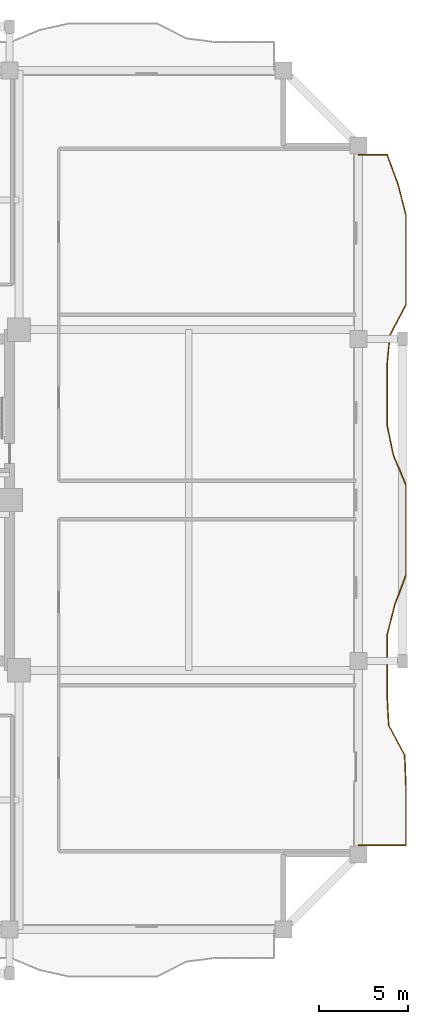
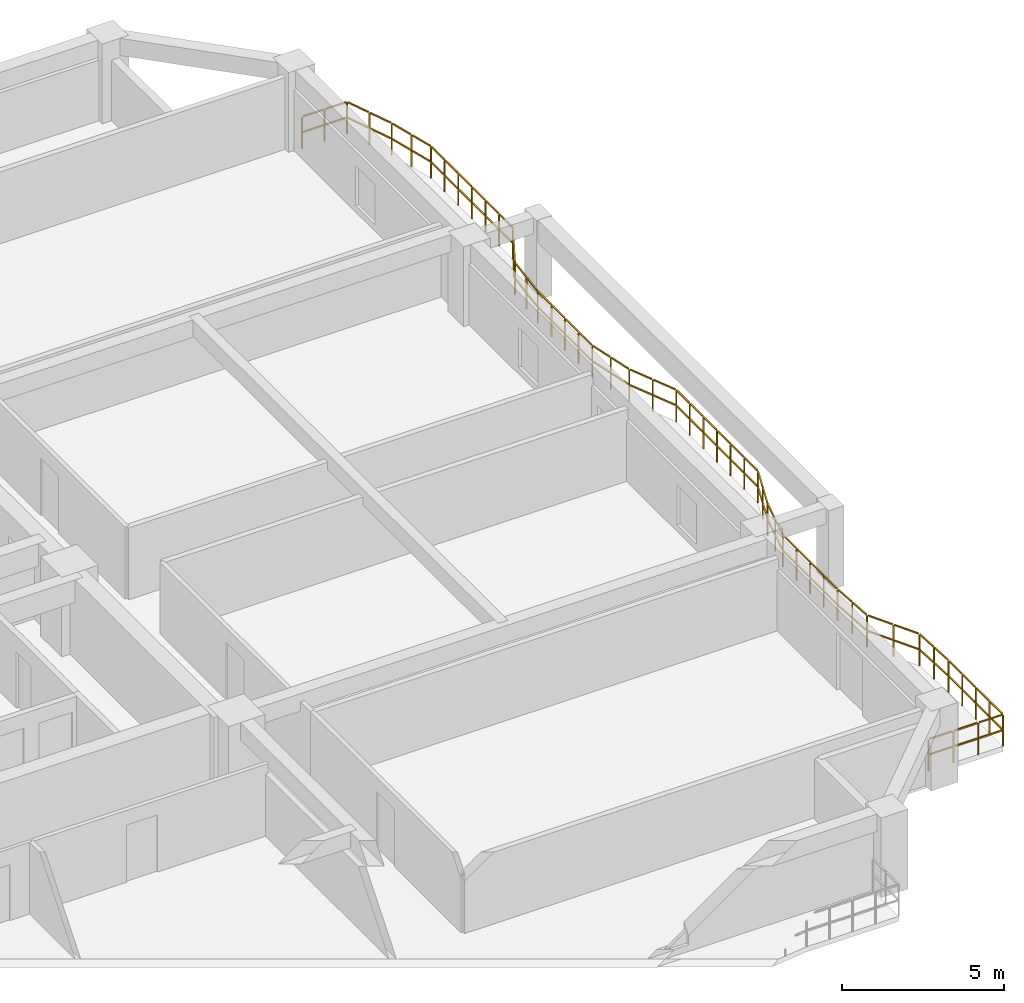
# One storey, part 10 of 11: 1 railing.
"""IFC4 building model written with IfcOpenShell, lengths in metres."""

from ifc_helpers import new_model, si_unit, direction, frame, origin, origin_2d, place, context, subcontext, project, spatial, rectangle, extrude, material, type_object, element, save


model = new_model("IFC4")

# Units and contexts
model_context = context("Model", 3, precision=1e-05, world=origin(), true_north=direction((0.0, 1.0)))
body_context = subcontext(model_context, "Body", "Model", "MODEL_VIEW")
ifc_project = project(units=[si_unit("LENGTHUNIT", "METRE"), si_unit("AREAUNIT", "SQUARE_METRE"), si_unit("VOLUMEUNIT", "CUBIC_METRE"), si_unit("PLANEANGLEUNIT", "RADIAN"), si_unit("MASSUNIT", "GRAM", prefix="KILO")], contexts=[model_context])

# Site, building, storey
site_placement = place(None, origin())
site = spatial("IfcSite", under=ifc_project, at=site_placement, CompositionType="ELEMENT")
building_placement = place(site_placement, origin())
building = spatial("IfcBuilding", under=site, at=building_placement, Name="Saelheon Loggia Tower", CompositionType="ELEMENT")
storey_placement = place(building_placement, frame((0.0, 0.0, 141.75)))
storey = spatial("IfcBuildingStorey", under=building, at=storey_placement, Name="L45", CompositionType="ELEMENT", Elevation=141.75)

# Railing
ifc_material = material(Name="Architectural Precast Concrete and Laminated Glass Guard", Category="concrete")
railing_type = type_object("IfcRailingType", Name="Guard_Loggia_RL_LOG", PredefinedType="BALUSTRADE", material=ifc_material)
railing_placement = place(storey_placement, frame((64.0, 7.699951171875, 0.0)))
element("IfcRailing", 1, at=railing_placement, inside=storey, type_object=railing_type, Name="L45 East Loggia Balustrade", PredefinedType="BALUSTRADE", context=body_context, shape_type="SweptSolid", body=[
    extrude(rectangle(XDim=0.048095703125, YDim=0.048095703125, at=origin_2d()), frame((0.033203125, 0.0, 1.19580078125), z_axis=(1.0, 0.0, 0.0), x_axis=(0.0, 1.0, 0.0)), (0.0, 0.0, 1.0), 0.81689453125),
    extrude(rectangle(XDim=0.048095703125, YDim=0.048095703125, at=origin_2d()), frame((0.033203125, 0.0, 0.60986328125), z_axis=(1.0, 0.0, 0.0), x_axis=(0.0, 1.0, 0.0)), (0.0, 0.0, 1.0), 0.81689453125),
    extrude(rectangle(XDim=0.048095703125, YDim=0.048095703125, at=origin_2d()), frame((0.91650390625, 0.0, 1.19580078125), z_axis=(1.0, 0.0, 0.0), x_axis=(0.0, 1.0, 0.0)), (0.0, 0.0, 1.0), 0.81689453125),
    extrude(rectangle(XDim=0.048095703125, YDim=0.048095703125, at=origin_2d()), frame((0.91650390625, 0.0, 0.60986328125), z_axis=(1.0, 0.0, 0.0), x_axis=(0.0, 1.0, 0.0)), (0.0, 0.0, 1.0), 0.81689453125),
    extrude(rectangle(XDim=0.048095703125, YDim=0.048095703125, at=origin_2d()), frame((1.7998046875, 0.0, 1.19580078125), z_axis=(1.0, 0.0, 0.0), x_axis=(0.0, 1.0, 0.0)), (0.0, 0.0, 1.0), 0.81689453125),
    extrude(rectangle(XDim=0.048095703125, YDim=0.048095703125, at=origin_2d()), frame((1.7998046875, 0.0, 0.60986328125), z_axis=(1.0, 0.0, 0.0), x_axis=(0.0, 1.0, 0.0)), (0.0, 0.0, 1.0), 0.81689453125),
    extrude(rectangle(XDim=0.048095703125, YDim=0.048095703125, at=origin_2d()), frame((2.64990234375, 0.033203125, 1.19580078125), z_axis=(0.0, 1.0, 0.0), x_axis=(-1.0, 0.0, 0.0)), (0.0, 0.0, 1.0), 0.772705078125),
    extrude(rectangle(XDim=0.048095703125, YDim=0.048095703125, at=origin_2d()), frame((2.64990234375, 0.033203125, 0.60986328125), z_axis=(0.0, 1.0, 0.0), x_axis=(-1.0, 0.0, 0.0)), (0.0, 0.0, 1.0), 0.772705078125),
    extrude(rectangle(XDim=0.048095703125, YDim=0.048095703125, at=origin_2d()), frame((2.64990234375, 0.87255859375, 1.19580078125), z_axis=(0.0, 1.0, 0.0), x_axis=(-1.0, 0.0, 0.0)), (0.0, 0.0, 1.0), 0.772705078125),
    extrude(rectangle(XDim=0.048095703125, YDim=0.048095703125, at=origin_2d()), frame((2.64990234375, 0.87255859375, 0.60986328125), z_axis=(0.0, 1.0, 0.0), x_axis=(-1.0, 0.0, 0.0)), (0.0, 0.0, 1.0), 0.772705078125),
    extrude(rectangle(XDim=0.048095703125, YDim=0.048095703125, at=origin_2d()), frame((2.64990234375, 1.711669921875, 1.19580078125), z_axis=(0.0, 1.0, 0.0), x_axis=(-1.0, 0.0, 0.0)), (0.0, 0.0, 1.0), 0.7724609375),
    extrude(rectangle(XDim=0.048095703125, YDim=0.048095703125, at=origin_2d()), frame((2.64990234375, 1.711669921875, 0.60986328125), z_axis=(0.0, 1.0, 0.0), x_axis=(-1.0, 0.0, 0.0)), (0.0, 0.0, 1.0), 0.7724609375),
    extrude(rectangle(XDim=0.048095703125, YDim=0.048095703125, at=origin_2d()), frame((2.64990234375, 2.55078125, 1.19580078125), z_axis=(0.0, 1.0, 0.0), x_axis=(-1.0, 0.0, 0.0)), (0.0, 0.0, 1.0), 0.7724609375),
    extrude(rectangle(XDim=0.048095703125, YDim=0.048095703125, at=origin_2d()), frame((2.64990234375, 2.55078125, 0.60986328125), z_axis=(0.0, 1.0, 0.0), x_axis=(-1.0, 0.0, 0.0)), (0.0, 0.0, 1.0), 0.7724609375),
    extrude(rectangle(XDim=0.048095703125, YDim=0.048095703125, at=origin_2d()), frame((2.648681640625, 3.3896484375, 1.19580078125), z_axis=(-0.038516851919, 0.999257950741, 0.0), x_axis=(-0.999257950741, -0.038516851919, 0.0)), (0.0, 0.0, 1.0), 0.7734375),
    extrude(rectangle(XDim=0.048095703125, YDim=0.048095703125, at=origin_2d()), frame((2.648681640625, 3.3896484375, 0.60986328125), z_axis=(-0.038516851919, 0.999257950741, 0.0), x_axis=(-0.999257950741, -0.038516851919, 0.0)), (0.0, 0.0, 1.0), 0.7734375),
    extrude(rectangle(XDim=0.048095703125, YDim=0.048095703125, at=origin_2d()), frame((2.6162109375, 4.22900390625, 1.19580078125), z_axis=(-0.038516851919, 0.999257950741, 0.0), x_axis=(-0.999257950741, -0.038516851919, 0.0)), (0.0, 0.0, 1.0), 0.7734375),
    extrude(rectangle(XDim=0.048095703125, YDim=0.048095703125, at=origin_2d()), frame((2.6162109375, 4.22900390625, 0.60986328125), z_axis=(-0.038516851919, 0.999257950741, 0.0), x_axis=(-0.999257950741, -0.038516851919, 0.0)), (0.0, 0.0, 1.0), 0.7734375),
    extrude(rectangle(XDim=0.048095703125, YDim=0.048095703125, at=origin_2d()), frame((2.569580078125, 5.064208984375, 1.19580078125), z_axis=(-0.470574910471, 0.88236004762, 0.0), x_axis=(-0.88236004762, -0.470574910471, 0.0)), (0.0, 0.0, 1.0), 0.884521484375),
    extrude(rectangle(XDim=0.048095703125, YDim=0.048095703125, at=origin_2d()), frame((2.569580078125, 5.064208984375, 0.60986328125), z_axis=(-0.470574910471, 0.88236004762, 0.0), x_axis=(-0.88236004762, -0.470574910471, 0.0)), (0.0, 0.0, 1.0), 0.884521484375),
    extrude(rectangle(XDim=0.048095703125, YDim=0.048095703125, at=origin_2d()), frame((2.1220703125, 5.9033203125, 1.19580078125), z_axis=(-0.470574910471, 0.88236004762, 0.0), x_axis=(-0.88236004762, -0.470574910471, 0.0)), (0.0, 0.0, 1.0), 0.884521484375),
    extrude(rectangle(XDim=0.048095703125, YDim=0.048095703125, at=origin_2d()), frame((2.1220703125, 5.9033203125, 0.60986328125), z_axis=(-0.470574910471, 0.88236004762, 0.0), x_axis=(-0.88236004762, -0.470574910471, 0.0)), (0.0, 0.0, 1.0), 0.884521484375),
    extrude(rectangle(XDim=0.048095703125, YDim=0.048095703125, at=origin_2d()), frame((1.6884765625, 6.746337890625, 1.19580078125), z_axis=(-0.053603359192, 0.99856230646, 0.0), x_axis=(-0.99856230646, -0.053603359192, 0.0)), (0.0, 0.0, 1.0), 0.77392578125),
    extrude(rectangle(XDim=0.048095703125, YDim=0.048095703125, at=origin_2d()), frame((1.6884765625, 6.746337890625, 0.60986328125), z_axis=(-0.053603359192, 0.99856230646, 0.0), x_axis=(-0.99856230646, -0.053603359192, 0.0)), (0.0, 0.0, 1.0), 0.77392578125),
    extrude(rectangle(XDim=0.048095703125, YDim=0.048095703125, at=origin_2d()), frame((1.643310546875, 7.58544921875, 1.19580078125), z_axis=(-0.053603359192, 0.99856230646, 0.0), x_axis=(-0.99856230646, -0.053603359192, 0.0)), (0.0, 0.0, 1.0), 0.77392578125),
    extrude(rectangle(XDim=0.048095703125, YDim=0.048095703125, at=origin_2d()), frame((1.643310546875, 7.58544921875, 0.60986328125), z_axis=(-0.053603359192, 0.99856230646, 0.0), x_axis=(-0.99856230646, -0.053603359192, 0.0)), (0.0, 0.0, 1.0), 0.77392578125),
    extrude(rectangle(XDim=0.048095703125, YDim=0.048095703125, at=origin_2d()), frame((1.60009765625, 8.424560546875, 1.19580078125), z_axis=(0.0, 1.0, 0.0), x_axis=(-1.0, 0.0, 0.0)), (0.0, 0.0, 1.0), 0.772705078125),
    extrude(rectangle(XDim=0.048095703125, YDim=0.048095703125, at=origin_2d()), frame((1.60009765625, 8.424560546875, 0.60986328125), z_axis=(0.0, 1.0, 0.0), x_axis=(-1.0, 0.0, 0.0)), (0.0, 0.0, 1.0), 0.772705078125),
    extrude(rectangle(XDim=0.048095703125, YDim=0.048095703125, at=origin_2d()), frame((1.60009765625, 9.263671875, 1.19580078125), z_axis=(0.0, 1.0, 0.0), x_axis=(-1.0, 0.0, 0.0)), (0.0, 0.0, 1.0), 0.772705078125),
    extrude(rectangle(XDim=0.048095703125, YDim=0.048095703125, at=origin_2d()), frame((1.60009765625, 9.263671875, 0.60986328125), z_axis=(0.0, 1.0, 0.0), x_axis=(-1.0, 0.0, 0.0)), (0.0, 0.0, 1.0), 0.772705078125),
    extrude(rectangle(XDim=0.048095703125, YDim=0.048095703125, at=origin_2d()), frame((1.60009765625, 10.102783203125, 1.19580078125), z_axis=(0.0, 1.0, 0.0), x_axis=(-1.0, 0.0, 0.0)), (0.0, 0.0, 1.0), 0.772705078125),
    extrude(rectangle(XDim=0.048095703125, YDim=0.048095703125, at=origin_2d()), frame((1.60009765625, 10.102783203125, 0.60986328125), z_axis=(0.0, 1.0, 0.0), x_axis=(-1.0, 0.0, 0.0)), (0.0, 0.0, 1.0), 0.772705078125),
    extrude(rectangle(XDim=0.048095703125, YDim=0.048095703125, at=origin_2d()), frame((1.60009765625, 10.94189453125, 1.19580078125), z_axis=(0.0, 1.0, 0.0), x_axis=(-1.0, 0.0, 0.0)), (0.0, 0.0, 1.0), 0.772705078125),
    extrude(rectangle(XDim=0.048095703125, YDim=0.048095703125, at=origin_2d()), frame((1.60009765625, 10.94189453125, 0.60986328125), z_axis=(0.0, 1.0, 0.0), x_axis=(-1.0, 0.0, 0.0)), (0.0, 0.0, 1.0), 0.772705078125),
    extrude(rectangle(XDim=0.048095703125, YDim=0.048095703125, at=origin_2d()), frame((1.6083984375, 11.780029296875, 1.19580078125), z_axis=(0.247208698516, 0.968962259006, 0.0), x_axis=(-0.968962259006, 0.247208698516, 0.0)), (0.0, 0.0, 1.0), 0.799560546875),
    extrude(rectangle(XDim=0.048095703125, YDim=0.048095703125, at=origin_2d()), frame((1.6083984375, 11.780029296875, 0.60986328125), z_axis=(0.247208698516, 0.968962259006, 0.0), x_axis=(-0.968962259006, 0.247208698516, 0.0)), (0.0, 0.0, 1.0), 0.799560546875),
    extrude(rectangle(XDim=0.048095703125, YDim=0.048095703125, at=origin_2d()), frame((1.822509765625, 12.619140625, 1.19580078125), z_axis=(0.247208698516, 0.968962259006, 0.0), x_axis=(-0.968962259006, 0.247208698516, 0.0)), (0.0, 0.0, 1.0), 0.799560546875),
    extrude(rectangle(XDim=0.048095703125, YDim=0.048095703125, at=origin_2d()), frame((1.822509765625, 12.619140625, 0.60986328125), z_axis=(0.247208698516, 0.968962259006, 0.0), x_axis=(-0.968962259006, 0.247208698516, 0.0)), (0.0, 0.0, 1.0), 0.799560546875),
    extrude(rectangle(XDim=0.048095703125, YDim=0.048095703125, at=origin_2d()), frame((2.039794921875, 13.45751953125, 1.19580078125), z_axis=(0.347367679111, 0.937729009634, 0.0), x_axis=(-0.937729009634, 0.347367679111, 0.0)), (0.0, 0.0, 1.0), 0.828125),
    extrude(rectangle(XDim=0.048095703125, YDim=0.048095703125, at=origin_2d()), frame((2.039794921875, 13.45751953125, 0.60986328125), z_axis=(0.347367679111, 0.937729009634, 0.0), x_axis=(-0.937729009634, 0.347367679111, 0.0)), (0.0, 0.0, 1.0), 0.828125),
    extrude(rectangle(XDim=0.048095703125, YDim=0.048095703125, at=origin_2d()), frame((2.3505859375, 14.29638671875, 1.19580078125), z_axis=(0.347367679111, 0.937729009634, 0.0), x_axis=(-0.937729009634, 0.347367679111, 0.0)), (0.0, 0.0, 1.0), 0.828125),
    extrude(rectangle(XDim=0.048095703125, YDim=0.048095703125, at=origin_2d()), frame((2.3505859375, 14.29638671875, 0.60986328125), z_axis=(0.347367679111, 0.937729009634, 0.0), x_axis=(-0.937729009634, 0.347367679111, 0.0)), (0.0, 0.0, 1.0), 0.828125),
    extrude(rectangle(XDim=0.048095703125, YDim=0.048095703125, at=origin_2d()), frame((2.64990234375, 15.137451171875, 1.19580078125), z_axis=(0.0, 1.0, 0.0), x_axis=(-1.0, 0.0, 0.0)), (0.0, 0.0, 1.0), 0.772705078125),
    extrude(rectangle(XDim=0.048095703125, YDim=0.048095703125, at=origin_2d()), frame((2.64990234375, 15.137451171875, 0.60986328125), z_axis=(0.0, 1.0, 0.0), x_axis=(-1.0, 0.0, 0.0)), (0.0, 0.0, 1.0), 0.772705078125),
    extrude(rectangle(XDim=0.048095703125, YDim=0.048095703125, at=origin_2d()), frame((2.64990234375, 15.976806640625, 1.19580078125), z_axis=(0.0, 1.0, 0.0), x_axis=(-1.0, 0.0, 0.0)), (0.0, 0.0, 1.0), 0.772705078125),
    extrude(rectangle(XDim=0.048095703125, YDim=0.048095703125, at=origin_2d()), frame((2.64990234375, 15.976806640625, 0.60986328125), z_axis=(0.0, 1.0, 0.0), x_axis=(-1.0, 0.0, 0.0)), (0.0, 0.0, 1.0), 0.772705078125),
    extrude(rectangle(XDim=0.048095703125, YDim=0.048095703125, at=origin_2d()), frame((2.64990234375, 16.81591796875, 1.19580078125), z_axis=(0.0, 1.0, 0.0), x_axis=(-1.0, 0.0, 0.0)), (0.0, 0.0, 1.0), 0.772705078125),
    extrude(rectangle(XDim=0.048095703125, YDim=0.048095703125, at=origin_2d()), frame((2.64990234375, 16.81591796875, 0.60986328125), z_axis=(0.0, 1.0, 0.0), x_axis=(-1.0, 0.0, 0.0)), (0.0, 0.0, 1.0), 0.772705078125),
    extrude(rectangle(XDim=0.048095703125, YDim=0.048095703125, at=origin_2d()), frame((2.64990234375, 17.655029296875, 1.19580078125), z_axis=(0.0, 1.0, 0.0), x_axis=(-1.0, 0.0, 0.0)), (0.0, 0.0, 1.0), 0.772705078125),
    extrude(rectangle(XDim=0.048095703125, YDim=0.048095703125, at=origin_2d()), frame((2.64990234375, 17.655029296875, 0.60986328125), z_axis=(0.0, 1.0, 0.0), x_axis=(-1.0, 0.0, 0.0)), (0.0, 0.0, 1.0), 0.772705078125),
    extrude(rectangle(XDim=0.048095703125, YDim=0.048095703125, at=origin_2d()), frame((2.64990234375, 18.494140625, 1.19580078125), z_axis=(0.0, 1.0, 0.0), x_axis=(-1.0, 0.0, 0.0)), (0.0, 0.0, 1.0), 0.772705078125),
    extrude(rectangle(XDim=0.048095703125, YDim=0.048095703125, at=origin_2d()), frame((2.64990234375, 18.494140625, 0.60986328125), z_axis=(0.0, 1.0, 0.0), x_axis=(-1.0, 0.0, 0.0)), (0.0, 0.0, 1.0), 0.772705078125),
    extrude(rectangle(XDim=0.048095703125, YDim=0.048095703125, at=origin_2d()), frame((2.64990234375, 19.333251953125, 1.19580078125), z_axis=(0.0, 1.0, 0.0), x_axis=(-1.0, 0.0, 0.0)), (0.0, 0.0, 1.0), 0.772705078125),
    extrude(rectangle(XDim=0.048095703125, YDim=0.048095703125, at=origin_2d()), frame((2.64990234375, 19.333251953125, 0.60986328125), z_axis=(0.0, 1.0, 0.0), x_axis=(-1.0, 0.0, 0.0)), (0.0, 0.0, 1.0), 0.772705078125),
    extrude(rectangle(XDim=0.048095703125, YDim=0.048095703125, at=origin_2d()), frame((2.63720703125, 20.169921875, 1.19580078125), z_axis=(-0.384481881871, 0.923132537891, 0.0), x_axis=(-0.923132537891, -0.384481881871, 0.0)), (0.0, 0.0, 1.0), 0.842529296875),
    extrude(rectangle(XDim=0.048095703125, YDim=0.048095703125, at=origin_2d()), frame((2.63720703125, 20.169921875, 0.60986328125), z_axis=(-0.384481881871, 0.923132537891, 0.0), x_axis=(-0.923132537891, -0.384481881871, 0.0)), (0.0, 0.0, 1.0), 0.842529296875),
    extrude(rectangle(XDim=0.048095703125, YDim=0.048095703125, at=origin_2d()), frame((2.28759765625, 21.009033203125, 1.19580078125), z_axis=(-0.384481881871, 0.923132537891, 0.0), x_axis=(-0.923132537891, -0.384481881871, 0.0)), (0.0, 0.0, 1.0), 0.842529296875),
    extrude(rectangle(XDim=0.048095703125, YDim=0.048095703125, at=origin_2d()), frame((2.28759765625, 21.009033203125, 0.60986328125), z_axis=(-0.384481881871, 0.923132537891, 0.0), x_axis=(-0.923132537891, -0.384481881871, 0.0)), (0.0, 0.0, 1.0), 0.842529296875),
    extrude(rectangle(XDim=0.048095703125, YDim=0.048095703125, at=origin_2d()), frame((1.944091796875, 21.849853515625, 1.19580078125), z_axis=(-0.204596686386, 0.978846359711, 0.0), x_axis=(-0.978846359711, -0.204596686386, 0.0)), (0.0, 0.0, 1.0), 0.791015625),
    extrude(rectangle(XDim=0.048095703125, YDim=0.048095703125, at=origin_2d()), frame((1.944091796875, 21.849853515625, 0.60986328125), z_axis=(-0.204596686386, 0.978846359711, 0.0), x_axis=(-0.978846359711, -0.204596686386, 0.0)), (0.0, 0.0, 1.0), 0.791015625),
    extrude(rectangle(XDim=0.048095703125, YDim=0.048095703125, at=origin_2d()), frame((1.768798828125, 22.689208984375, 1.19580078125), z_axis=(-0.204596686386, 0.978846359711, 0.0), x_axis=(-0.978846359711, -0.204596686386, 0.0)), (0.0, 0.0, 1.0), 0.791015625),
    extrude(rectangle(XDim=0.048095703125, YDim=0.048095703125, at=origin_2d()), frame((1.768798828125, 22.689208984375, 0.60986328125), z_axis=(-0.204596686386, 0.978846359711, 0.0), x_axis=(-0.978846359711, -0.204596686386, 0.0)), (0.0, 0.0, 1.0), 0.791015625),
    extrude(rectangle(XDim=0.048095703125, YDim=0.048095703125, at=origin_2d()), frame((1.60009765625, 23.529052734375, 1.19580078125), z_axis=(0.0, 1.0, 0.0), x_axis=(-1.0, 0.0, 0.0)), (0.0, 0.0, 1.0), 0.7724609375),
    extrude(rectangle(XDim=0.048095703125, YDim=0.048095703125, at=origin_2d()), frame((1.60009765625, 23.529052734375, 0.60986328125), z_axis=(0.0, 1.0, 0.0), x_axis=(-1.0, 0.0, 0.0)), (0.0, 0.0, 1.0), 0.7724609375),
    extrude(rectangle(XDim=0.048095703125, YDim=0.048095703125, at=origin_2d()), frame((1.60009765625, 24.3681640625, 1.19580078125), z_axis=(0.0, 1.0, 0.0), x_axis=(-1.0, 0.0, 0.0)), (0.0, 0.0, 1.0), 0.7724609375),
    extrude(rectangle(XDim=0.048095703125, YDim=0.048095703125, at=origin_2d()), frame((1.60009765625, 24.3681640625, 0.60986328125), z_axis=(0.0, 1.0, 0.0), x_axis=(-1.0, 0.0, 0.0)), (0.0, 0.0, 1.0), 0.7724609375),
    extrude(rectangle(XDim=0.048095703125, YDim=0.048095703125, at=origin_2d()), frame((1.60009765625, 25.20703125, 1.19580078125), z_axis=(0.0, 1.0, 0.0), x_axis=(-1.0, 0.0, 0.0)), (0.0, 0.0, 1.0), 0.772705078125),
    extrude(rectangle(XDim=0.048095703125, YDim=0.048095703125, at=origin_2d()), frame((1.60009765625, 25.20703125, 0.60986328125), z_axis=(0.0, 1.0, 0.0), x_axis=(-1.0, 0.0, 0.0)), (0.0, 0.0, 1.0), 0.772705078125),
    extrude(rectangle(XDim=0.048095703125, YDim=0.048095703125, at=origin_2d()), frame((1.60009765625, 26.04638671875, 1.19580078125), z_axis=(0.0, 1.0, 0.0), x_axis=(-1.0, 0.0, 0.0)), (0.0, 0.0, 1.0), 0.772705078125),
    extrude(rectangle(XDim=0.048095703125, YDim=0.048095703125, at=origin_2d()), frame((1.60009765625, 26.04638671875, 0.60986328125), z_axis=(0.0, 1.0, 0.0), x_axis=(-1.0, 0.0, 0.0)), (0.0, 0.0, 1.0), 0.772705078125),
    extrude(rectangle(XDim=0.048095703125, YDim=0.048095703125, at=origin_2d()), frame((1.603271484375, 26.88525390625, 1.19580078125), z_axis=(0.097295853683, 0.995255503304, 0.0), x_axis=(-0.995255503304, 0.097295853683, 0.0)), (0.0, 0.0, 1.0), 0.776611328125),
    extrude(rectangle(XDim=0.048095703125, YDim=0.048095703125, at=origin_2d()), frame((1.603271484375, 26.88525390625, 0.60986328125), z_axis=(0.097295853683, 0.995255503304, 0.0), x_axis=(-0.995255503304, 0.097295853683, 0.0)), (0.0, 0.0, 1.0), 0.776611328125),
    extrude(rectangle(XDim=0.048095703125, YDim=0.048095703125, at=origin_2d()), frame((1.685302734375, 27.724365234375, 1.19580078125), z_axis=(0.097295853683, 0.995255503304, 0.0), x_axis=(-0.995255503304, 0.097295853683, 0.0)), (0.0, 0.0, 1.0), 0.776611328125),
    extrude(rectangle(XDim=0.048095703125, YDim=0.048095703125, at=origin_2d()), frame((1.685302734375, 27.724365234375, 0.60986328125), z_axis=(0.097295853683, 0.995255503304, 0.0), x_axis=(-0.995255503304, 0.097295853683, 0.0)), (0.0, 0.0, 1.0), 0.776611328125),
    extrude(rectangle(XDim=0.048095703125, YDim=0.048095703125, at=origin_2d()), frame((1.77978515625, 28.559814453125, 1.19580078125), z_axis=(0.466764209915, 0.884381802358, 0.0), x_axis=(-0.884381802358, 0.466764209915, 0.0)), (0.0, 0.0, 1.0), 0.88232421875),
    extrude(rectangle(XDim=0.048095703125, YDim=0.048095703125, at=origin_2d()), frame((1.77978515625, 28.559814453125, 0.60986328125), z_axis=(0.466764209915, 0.884381802358, 0.0), x_axis=(-0.884381802358, 0.466764209915, 0.0)), (0.0, 0.0, 1.0), 0.88232421875),
    extrude(rectangle(XDim=0.048095703125, YDim=0.048095703125, at=origin_2d()), frame((2.22265625, 29.39892578125, 1.19580078125), z_axis=(0.466764209915, 0.884381802358, 0.0), x_axis=(-0.884381802358, 0.466764209915, 0.0)), (0.0, 0.0, 1.0), 0.88232421875),
    extrude(rectangle(XDim=0.048095703125, YDim=0.048095703125, at=origin_2d()), frame((2.22265625, 29.39892578125, 0.60986328125), z_axis=(0.466764209915, 0.884381802358, 0.0), x_axis=(-0.884381802358, 0.466764209915, 0.0)), (0.0, 0.0, 1.0), 0.88232421875),
    extrude(rectangle(XDim=0.048095703125, YDim=0.048095703125, at=origin_2d()), frame((2.64990234375, 30.241943359375, 1.19580078125), z_axis=(0.0, 1.0, 0.0), x_axis=(-1.0, 0.0, 0.0)), (0.0, 0.0, 1.0), 0.772705078125),
    extrude(rectangle(XDim=0.048095703125, YDim=0.048095703125, at=origin_2d()), frame((2.64990234375, 30.241943359375, 0.60986328125), z_axis=(0.0, 1.0, 0.0), x_axis=(-1.0, 0.0, 0.0)), (0.0, 0.0, 1.0), 0.772705078125),
    extrude(rectangle(XDim=0.048095703125, YDim=0.048095703125, at=origin_2d()), frame((2.64990234375, 31.0810546875, 1.19580078125), z_axis=(0.0, 1.0, 0.0), x_axis=(-1.0, 0.0, 0.0)), (0.0, 0.0, 1.0), 0.772705078125),
    extrude(rectangle(XDim=0.048095703125, YDim=0.048095703125, at=origin_2d()), frame((2.64990234375, 31.0810546875, 0.60986328125), z_axis=(0.0, 1.0, 0.0), x_axis=(-1.0, 0.0, 0.0)), (0.0, 0.0, 1.0), 0.772705078125),
    extrude(rectangle(XDim=0.048095703125, YDim=0.048095703125, at=origin_2d()), frame((2.64990234375, 31.920166015625, 1.19580078125), z_axis=(0.0, 1.0, 0.0), x_axis=(-1.0, 0.0, 0.0)), (0.0, 0.0, 1.0), 0.772705078125),
    extrude(rectangle(XDim=0.048095703125, YDim=0.048095703125, at=origin_2d()), frame((2.64990234375, 31.920166015625, 0.60986328125), z_axis=(0.0, 1.0, 0.0), x_axis=(-1.0, 0.0, 0.0)), (0.0, 0.0, 1.0), 0.772705078125),
    extrude(rectangle(XDim=0.048095703125, YDim=0.048095703125, at=origin_2d()), frame((2.64990234375, 32.75927734375, 1.19580078125), z_axis=(0.0, 1.0, 0.0), x_axis=(-1.0, 0.0, 0.0)), (0.0, 0.0, 1.0), 0.772705078125),
    extrude(rectangle(XDim=0.048095703125, YDim=0.048095703125, at=origin_2d()), frame((2.64990234375, 32.75927734375, 0.60986328125), z_axis=(0.0, 1.0, 0.0), x_axis=(-1.0, 0.0, 0.0)), (0.0, 0.0, 1.0), 0.772705078125),
    extrude(rectangle(XDim=0.048095703125, YDim=0.048095703125, at=origin_2d()), frame((2.64990234375, 33.598388671875, 1.19580078125), z_axis=(0.0, 1.0, 0.0), x_axis=(-1.0, 0.0, 0.0)), (0.0, 0.0, 1.0), 0.772705078125),
    extrude(rectangle(XDim=0.048095703125, YDim=0.048095703125, at=origin_2d()), frame((2.64990234375, 33.598388671875, 0.60986328125), z_axis=(0.0, 1.0, 0.0), x_axis=(-1.0, 0.0, 0.0)), (0.0, 0.0, 1.0), 0.772705078125),
    extrude(rectangle(XDim=0.048095703125, YDim=0.048095703125, at=origin_2d()), frame((2.64990234375, 34.437744140625, 1.19580078125), z_axis=(0.0, 1.0, 0.0), x_axis=(-1.0, 0.0, 0.0)), (0.0, 0.0, 1.0), 0.772705078125),
    extrude(rectangle(XDim=0.048095703125, YDim=0.048095703125, at=origin_2d()), frame((2.64990234375, 34.437744140625, 0.60986328125), z_axis=(0.0, 1.0, 0.0), x_axis=(-1.0, 0.0, 0.0)), (0.0, 0.0, 1.0), 0.772705078125),
    extrude(rectangle(XDim=0.048095703125, YDim=0.048095703125, at=origin_2d()), frame((2.6416015625, 35.27587890625, 1.19580078125), z_axis=(-0.248334659432, 0.968674298681, 0.0), x_axis=(-0.968674298681, -0.248334659432, 0.0)), (0.0, 0.0, 1.0), 0.799560546875),
    extrude(rectangle(XDim=0.048095703125, YDim=0.048095703125, at=origin_2d()), frame((2.6416015625, 35.27587890625, 0.60986328125), z_axis=(-0.248334659432, 0.968674298681, 0.0), x_axis=(-0.968674298681, -0.248334659432, 0.0)), (0.0, 0.0, 1.0), 0.799560546875),
    extrude(rectangle(XDim=0.048095703125, YDim=0.048095703125, at=origin_2d()), frame((2.426513671875, 36.11474609375, 1.19580078125), z_axis=(-0.248334659432, 0.968674298681, 0.0), x_axis=(-0.968674298681, -0.248334659432, 0.0)), (0.0, 0.0, 1.0), 0.799560546875),
    extrude(rectangle(XDim=0.048095703125, YDim=0.048095703125, at=origin_2d()), frame((2.426513671875, 36.11474609375, 0.60986328125), z_axis=(-0.248334659432, 0.968674298681, 0.0), x_axis=(-0.968674298681, -0.248334659432, 0.0)), (0.0, 0.0, 1.0), 0.799560546875),
    extrude(rectangle(XDim=0.048095703125, YDim=0.048095703125, at=origin_2d()), frame((2.208251953125, 36.952880859375, 1.19580078125), z_axis=(-0.346318659518, 0.938116936245, 0.0), x_axis=(-0.938116936245, -0.346318659518, 0.0)), (0.0, 0.0, 1.0), 0.828125),
    extrude(rectangle(XDim=0.048095703125, YDim=0.048095703125, at=origin_2d()), frame((2.208251953125, 36.952880859375, 0.60986328125), z_axis=(-0.346318659518, 0.938116936245, 0.0), x_axis=(-0.938116936245, -0.346318659518, 0.0)), (0.0, 0.0, 1.0), 0.828125),
    extrude(rectangle(XDim=0.048095703125, YDim=0.048095703125, at=origin_2d()), frame((1.8984375, 37.7919921875, 1.19580078125), z_axis=(-0.346318659518, 0.938116936245, 0.0), x_axis=(-0.938116936245, -0.346318659518, 0.0)), (0.0, 0.0, 1.0), 0.828125),
    extrude(rectangle(XDim=0.048095703125, YDim=0.048095703125, at=origin_2d()), frame((1.8984375, 37.7919921875, 0.60986328125), z_axis=(-0.346318659518, 0.938116936245, 0.0), x_axis=(-0.938116936245, -0.346318659518, 0.0)), (0.0, 0.0, 1.0), 0.828125),
    extrude(rectangle(XDim=0.048095703125, YDim=0.048095703125, at=origin_2d()), frame((1.56689453125, 38.60009765625, 1.19580078125), z_axis=(-1.0, 0.0, 0.0), x_axis=(0.0, -1.0, 0.0)), (0.0, 0.0, 1.0), 0.733642578125),
    extrude(rectangle(XDim=0.048095703125, YDim=0.048095703125, at=origin_2d()), frame((1.56689453125, 38.60009765625, 0.60986328125), z_axis=(-1.0, 0.0, 0.0), x_axis=(0.0, -1.0, 0.0)), (0.0, 0.0, 1.0), 0.733642578125),
    extrude(rectangle(XDim=0.048095703125, YDim=0.048095703125, at=origin_2d()), frame((0.766845703125, 38.60009765625, 1.19580078125), z_axis=(-1.0, 0.0, 0.0), x_axis=(0.0, -1.0, 0.0)), (0.0, 0.0, 1.0), 0.733642578125),
    extrude(rectangle(XDim=0.048095703125, YDim=0.048095703125, at=origin_2d()), frame((0.766845703125, 38.60009765625, 0.60986328125), z_axis=(-1.0, 0.0, 0.0), x_axis=(0.0, -1.0, 0.0)), (0.0, 0.0, 1.0), 0.733642578125),
    extrude(rectangle(XDim=0.0419921875, YDim=0.0419921875, at=origin_2d()), origin(), (0.0, 0.0, 1.0), 1.16796875),
    extrude(rectangle(XDim=0.0419921875, YDim=0.0419921875, at=origin_2d()), frame((0.88330078125, 0.0, 0.0)), (0.0, 0.0, 1.0), 1.16796875),
    extrude(rectangle(XDim=0.0419921875, YDim=0.0419921875, at=origin_2d()), frame((1.7666015625, 0.0, 0.0)), (0.0, 0.0, 1.0), 1.16796875),
    extrude(rectangle(XDim=0.0419921875, YDim=0.0419921875, at=origin_2d()), frame((2.64990234375, 0.0, 0.0)), (0.0, 0.0, 1.0), 1.16796875),
    extrude(rectangle(XDim=0.0419921875, YDim=0.0419921875, at=origin_2d()), frame((2.64990234375, 0.83935546875, 0.0)), (0.0, 0.0, 1.0), 1.16796875),
    extrude(rectangle(XDim=0.0419921875, YDim=0.0419921875, at=origin_2d()), frame((2.64990234375, 1.678466796875, 0.0)), (0.0, 0.0, 1.0), 1.16796875),
    extrude(rectangle(XDim=0.0419921875, YDim=0.0419921875, at=origin_2d()), frame((2.64990234375, 2.517578125, 0.0)), (0.0, 0.0, 1.0), 1.16796875),
    extrude(rectangle(XDim=0.0419921875, YDim=0.0419921875, at=origin_2d()), frame((2.64990234375, 3.3564453125, 0.0)), (0.0, 0.0, 1.0), 1.16796875),
    extrude(rectangle(XDim=0.0419921875, YDim=0.0419921875, at=origin_2d()), frame((2.61767578125, 4.19580078125, 0.0)), (0.0, 0.0, 1.0), 1.16796875),
    extrude(rectangle(XDim=0.0419921875, YDim=0.0419921875, at=origin_2d()), frame((2.585205078125, 5.034912109375, 0.0)), (0.0, 0.0, 1.0), 1.16796875),
    extrude(rectangle(XDim=0.0419921875, YDim=0.0419921875, at=origin_2d()), frame((2.1376953125, 5.8740234375, 0.0)), (0.0, 0.0, 1.0), 1.16796875),
    extrude(rectangle(XDim=0.0419921875, YDim=0.0419921875, at=origin_2d()), frame((1.690185546875, 6.713134765625, 0.0)), (0.0, 0.0, 1.0), 1.16796875),
    extrude(rectangle(XDim=0.0419921875, YDim=0.0419921875, at=origin_2d()), frame((1.64501953125, 7.55224609375, 0.0)), (0.0, 0.0, 1.0), 1.16796875),
    extrude(rectangle(XDim=0.0419921875, YDim=0.0419921875, at=origin_2d()), frame((1.60009765625, 8.391357421875, 0.0)), (0.0, 0.0, 1.0), 1.16796875),
    extrude(rectangle(XDim=0.0419921875, YDim=0.0419921875, at=origin_2d()), frame((1.60009765625, 9.23046875, 0.0)), (0.0, 0.0, 1.0), 1.16796875),
    extrude(rectangle(XDim=0.0419921875, YDim=0.0419921875, at=origin_2d()), frame((1.60009765625, 10.069580078125, 0.0)), (0.0, 0.0, 1.0), 1.16796875),
    extrude(rectangle(XDim=0.0419921875, YDim=0.0419921875, at=origin_2d()), frame((1.60009765625, 10.90869140625, 0.0)), (0.0, 0.0, 1.0), 1.16796875),
    extrude(rectangle(XDim=0.0419921875, YDim=0.0419921875, at=origin_2d()), frame((1.60009765625, 11.747802734375, 0.0)), (0.0, 0.0, 1.0), 1.16796875),
    extrude(rectangle(XDim=0.0419921875, YDim=0.0419921875, at=origin_2d()), frame((1.814208984375, 12.5869140625, 0.0)), (0.0, 0.0, 1.0), 1.16796875),
    extrude(rectangle(XDim=0.0419921875, YDim=0.0419921875, at=origin_2d()), frame((2.0283203125, 13.42626953125, 0.0)), (0.0, 0.0, 1.0), 1.16796875),
    extrude(rectangle(XDim=0.0419921875, YDim=0.0419921875, at=origin_2d()), frame((2.339111328125, 14.26513671875, 0.0)), (0.0, 0.0, 1.0), 1.16796875),
    extrude(rectangle(XDim=0.0419921875, YDim=0.0419921875, at=origin_2d()), frame((2.64990234375, 15.104248046875, 0.0)), (0.0, 0.0, 1.0), 1.16796875),
    extrude(rectangle(XDim=0.0419921875, YDim=0.0419921875, at=origin_2d()), frame((2.64990234375, 15.943359375, 0.0)), (0.0, 0.0, 1.0), 1.16796875),
    extrude(rectangle(XDim=0.0419921875, YDim=0.0419921875, at=origin_2d()), frame((2.64990234375, 16.78271484375, 0.0)), (0.0, 0.0, 1.0), 1.16796875),
    extrude(rectangle(XDim=0.0419921875, YDim=0.0419921875, at=origin_2d()), frame((2.64990234375, 17.621826171875, 0.0)), (0.0, 0.0, 1.0), 1.16796875),
    extrude(rectangle(XDim=0.0419921875, YDim=0.0419921875, at=origin_2d()), frame((2.64990234375, 18.4609375, 0.0)), (0.0, 0.0, 1.0), 1.16796875),
    extrude(rectangle(XDim=0.0419921875, YDim=0.0419921875, at=origin_2d()), frame((2.64990234375, 19.300048828125, 0.0)), (0.0, 0.0, 1.0), 1.16796875),
    extrude(rectangle(XDim=0.0419921875, YDim=0.0419921875, at=origin_2d()), frame((2.64990234375, 20.13916015625, 0.0)), (0.0, 0.0, 1.0), 1.16796875),
    extrude(rectangle(XDim=0.0419921875, YDim=0.0419921875, at=origin_2d()), frame((2.30029296875, 20.978271484375, 0.0)), (0.0, 0.0, 1.0), 1.16796875),
    extrude(rectangle(XDim=0.0419921875, YDim=0.0419921875, at=origin_2d()), frame((1.950927734375, 21.8173828125, 0.0)), (0.0, 0.0, 1.0), 1.16796875),
    extrude(rectangle(XDim=0.0419921875, YDim=0.0419921875, at=origin_2d()), frame((1.775390625, 22.65673828125, 0.0)), (0.0, 0.0, 1.0), 1.16796875),
    extrude(rectangle(XDim=0.0419921875, YDim=0.0419921875, at=origin_2d()), frame((1.60009765625, 23.495849609375, 0.0)), (0.0, 0.0, 1.0), 1.16796875),
    extrude(rectangle(XDim=0.0419921875, YDim=0.0419921875, at=origin_2d()), frame((1.60009765625, 24.3349609375, 0.0)), (0.0, 0.0, 1.0), 1.16796875),
    extrude(rectangle(XDim=0.0419921875, YDim=0.0419921875, at=origin_2d()), frame((1.60009765625, 25.173828125, 0.0)), (0.0, 0.0, 1.0), 1.16796875),
    extrude(rectangle(XDim=0.0419921875, YDim=0.0419921875, at=origin_2d()), frame((1.60009765625, 26.01318359375, 0.0)), (0.0, 0.0, 1.0), 1.16796875),
    extrude(rectangle(XDim=0.0419921875, YDim=0.0419921875, at=origin_2d()), frame((1.60009765625, 26.852294921875, 0.0)), (0.0, 0.0, 1.0), 1.16796875),
    extrude(rectangle(XDim=0.0419921875, YDim=0.0419921875, at=origin_2d()), frame((1.68212890625, 27.69140625, 0.0)), (0.0, 0.0, 1.0), 1.16796875),
    extrude(rectangle(XDim=0.0419921875, YDim=0.0419921875, at=origin_2d()), frame((1.76416015625, 28.530517578125, 0.0)), (0.0, 0.0, 1.0), 1.16796875),
    extrude(rectangle(XDim=0.0419921875, YDim=0.0419921875, at=origin_2d()), frame((2.20703125, 29.36962890625, 0.0)), (0.0, 0.0, 1.0), 1.16796875),
    extrude(rectangle(XDim=0.0419921875, YDim=0.0419921875, at=origin_2d()), frame((2.64990234375, 30.208740234375, 0.0)), (0.0, 0.0, 1.0), 1.16796875),
    extrude(rectangle(XDim=0.0419921875, YDim=0.0419921875, at=origin_2d()), frame((2.64990234375, 31.0478515625, 0.0)), (0.0, 0.0, 1.0), 1.16796875),
    extrude(rectangle(XDim=0.0419921875, YDim=0.0419921875, at=origin_2d()), frame((2.64990234375, 31.886962890625, 0.0)), (0.0, 0.0, 1.0), 1.16796875),
    extrude(rectangle(XDim=0.0419921875, YDim=0.0419921875, at=origin_2d()), frame((2.64990234375, 32.72607421875, 0.0)), (0.0, 0.0, 1.0), 1.16796875),
    extrude(rectangle(XDim=0.0419921875, YDim=0.0419921875, at=origin_2d()), frame((2.64990234375, 33.565185546875, 0.0)), (0.0, 0.0, 1.0), 1.16796875),
    extrude(rectangle(XDim=0.0419921875, YDim=0.0419921875, at=origin_2d()), frame((2.64990234375, 34.404296875, 0.0)), (0.0, 0.0, 1.0), 1.16796875),
    extrude(rectangle(XDim=0.0419921875, YDim=0.0419921875, at=origin_2d()), frame((2.64990234375, 35.24365234375, 0.0)), (0.0, 0.0, 1.0), 1.16796875),
    extrude(rectangle(XDim=0.0419921875, YDim=0.0419921875, at=origin_2d()), frame((2.434814453125, 36.08251953125, 0.0)), (0.0, 0.0, 1.0), 1.16796875),
    extrude(rectangle(XDim=0.0419921875, YDim=0.0419921875, at=origin_2d()), frame((2.2197265625, 36.921630859375, 0.0)), (0.0, 0.0, 1.0), 1.16796875),
    extrude(rectangle(XDim=0.0419921875, YDim=0.0419921875, at=origin_2d()), frame((1.909912109375, 37.7607421875, 0.0)), (0.0, 0.0, 1.0), 1.16796875),
    extrude(rectangle(XDim=0.0419921875, YDim=0.0419921875, at=origin_2d()), frame((1.60009765625, 38.60009765625, 0.0)), (0.0, 0.0, 1.0), 1.16796875),
    extrude(rectangle(XDim=0.0419921875, YDim=0.0419921875, at=origin_2d()), frame((0.800048828125, 38.60009765625, 0.0)), (0.0, 0.0, 1.0), 1.16796875),
    extrude(rectangle(XDim=0.0419921875, YDim=0.0419921875, at=origin_2d()), frame((0.0, 38.60009765625, 0.0)), (0.0, 0.0, 1.0), 1.16796875),
])

save(model, "model.ifc")
